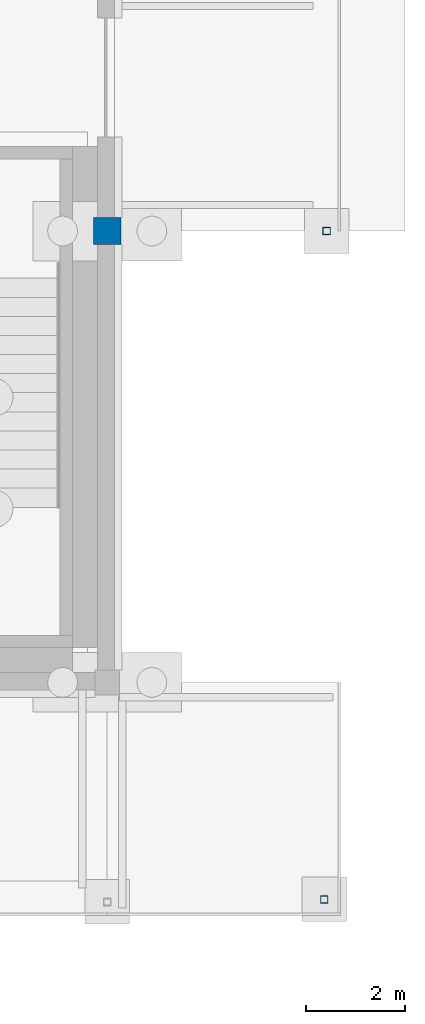
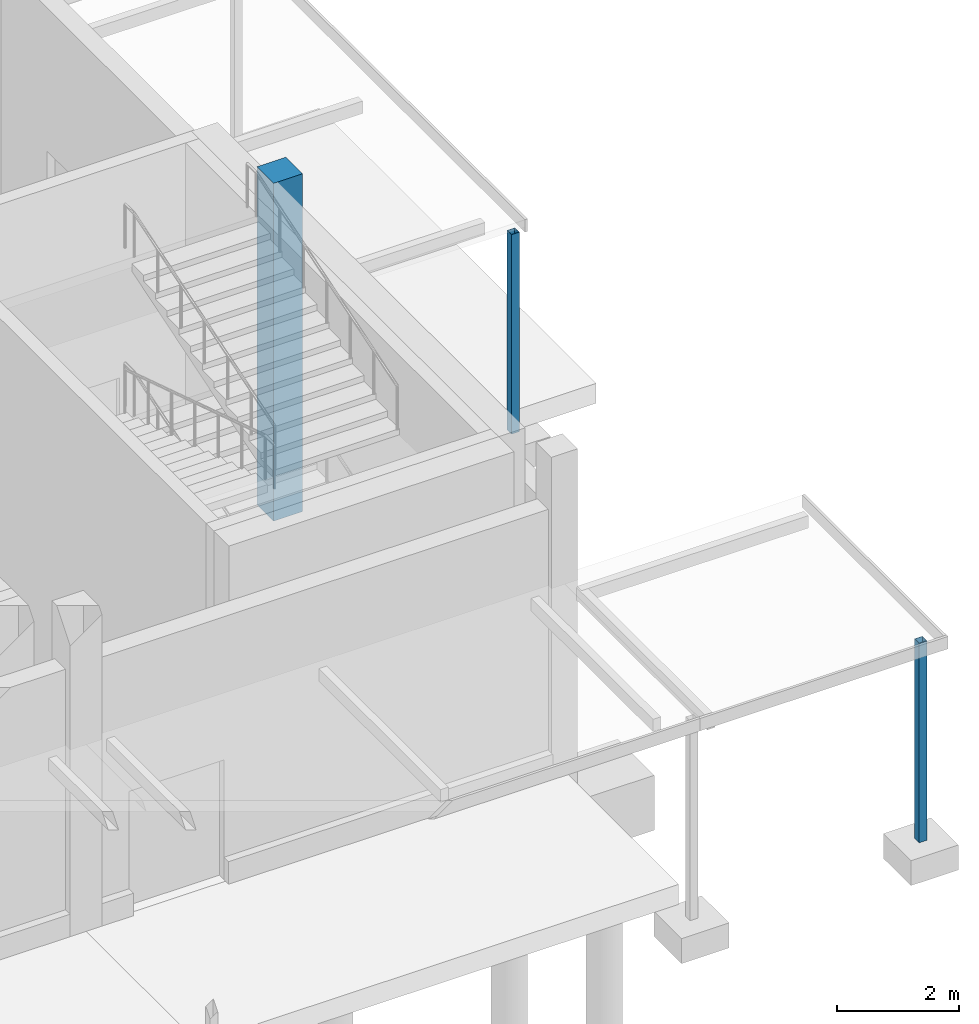
# One storey, part 36 of 129: 3 columns.
"""IFC4 building model written with IfcOpenShell, lengths in metres."""

import ifcopenshell
import ifcopenshell.guid

model = None  # the IFC model being written
_history = None  # IfcOwnerHistory: only IFC2X3 demands one
_inside = {}  # id of a spatial element -> (the spatial element, [elements in it])
_under = {}  # id of a project, library or spatial element -> (it, [spatial elements below it])
_declared = {}  # id of a project -> (the project, [libraries it declares])
_typed = {}  # id of a type object -> (the type object, [elements of that type])
_made_of = {}  # id of a material, layer set ... -> (it, [elements and type objects made of it])


def new_model(schema):
    """Start an empty IFC model of exactly this schema.

    Asked for "IFC4X3", IfcOpenShell would pick the latest addendum, in which some entities
    have other attributes; the version numbers below select the first issue.
    IFC2X3 requires an IfcOwnerHistory on every rooted entity: one is made here for all.
    """
    global model, _history
    if schema == "IFC4X3":
        model = ifcopenshell.file(schema_version=(4, 3, 0, 0))
    else:
        model = ifcopenshell.file(schema=schema)
    _inside.clear()
    _under.clear()
    _declared.clear()
    _typed.clear()
    _made_of.clear()
    _history = None
    if model.schema == "IFC2X3":
        org = make("IfcOrganization", Name="unknown")
        user = make(
            "IfcPersonAndOrganization",
            ThePerson=make("IfcPerson", FamilyName="unknown"),
            TheOrganization=org,
        )
        app = make(
            "IfcApplication",
            ApplicationDeveloper=org,
            Version="unknown",
            ApplicationFullName="unknown",
            ApplicationIdentifier="unknown",
        )
        _history = make(
            "IfcOwnerHistory",
            OwningUser=user,
            OwningApplication=app,
            ChangeAction="ADDED",
            CreationDate=0,
        )
    return model


def make(cls, **values):
    """One entity of the class cls with the attributes given. An attribute that is None is left unset."""
    return model.create_entity(
        cls, **{name: value for name, value in values.items() if value is not None}
    )


def rooted(cls, **values):
    """An entity with a GlobalId (a new one), such as an element, a storey or a relation."""
    return make(cls, GlobalId=ifcopenshell.guid.new(), OwnerHistory=_history, **values)


def si_unit(unit_type, name, prefix=None):
    """IfcSIUnit, for example si_unit("LENGTHUNIT", "METRE", prefix="MILLI")."""
    return make("IfcSIUnit", UnitType=unit_type, Prefix=prefix, Name=name)


def assignment(units):
    """IfcUnitAssignment: the units of a project."""
    return None if units is None else make("IfcUnitAssignment", Units=units)


def point(xyz):
    """IfcCartesianPoint."""
    return None if xyz is None else make("IfcCartesianPoint", Coordinates=xyz)


def direction(xyz):
    """IfcDirection."""
    return None if xyz is None else make("IfcDirection", DirectionRatios=xyz)


def frame(location, z_axis=None, x_axis=None):
    """IfcAxis2Placement3D, a coordinate frame: its origin and axes. An axis left out is left unset."""
    return make(
        "IfcAxis2Placement3D",
        Location=point(location),
        Axis=direction(z_axis),
        RefDirection=direction(x_axis),
    )


def frame_2d(location, x_axis=None):
    """IfcAxis2Placement2D, a coordinate frame in the plane: its origin and x axis."""
    return make(
        "IfcAxis2Placement2D", Location=point(location), RefDirection=direction(x_axis)
    )


def origin():
    """The frame at (0, 0, 0) with its axes left unset."""
    return frame((0.0, 0.0, 0.0))


def origin_2d():
    """The frame at (0, 0) in the plane with its x axis left unset."""
    return frame_2d((0.0, 0.0))


def place(relative_to, where):
    """IfcLocalPlacement: puts the frame where relative to a parent placement (None: the world)."""
    return make(
        "IfcLocalPlacement", PlacementRelTo=relative_to, RelativePlacement=where
    )


def context(
    kind, dimensions, precision=None, world=None, true_north=None, identifier=None
):
    """IfcGeometricRepresentationContext, for example the 3D "Model" context."""
    return make(
        "IfcGeometricRepresentationContext",
        ContextIdentifier=identifier,
        ContextType=kind,
        CoordinateSpaceDimension=dimensions,
        Precision=precision,
        WorldCoordinateSystem=world,
        TrueNorth=true_north,
    )


def subcontext(parent, identifier, kind, view, scale=None):
    """IfcGeometricRepresentationSubContext, for example "Body" below "Model"."""
    return make(
        "IfcGeometricRepresentationSubContext",
        ContextIdentifier=identifier,
        ContextType=kind,
        ParentContext=parent,
        TargetScale=scale,
        TargetView=view,
    )


def project(units=None, contexts=None):
    """IfcProject with its units and contexts."""
    return rooted(
        "IfcProject",
        Name="project",
        RepresentationContexts=contexts,
        UnitsInContext=assignment(units),
    )


def spatial(cls, under=None, at=None, **own):
    """A site, building, storey or space (cls), placed at a placement, below another one or the project."""
    s = rooted(cls, ObjectPlacement=at, **own)
    if under is not None:
        _under.setdefault(under.id(), (under, []))[1].append(s)
    return s


def profile(cls, at=None, kind="AREA", **sizes):
    """A parametric profile (cls). Its sizes go by their IFC names, for example OverallWidth=200.0."""
    return make(cls, ProfileType=kind, Position=at, **sizes)


def rectangle(**sizes):
    """IfcRectangleProfileDef."""
    return profile("IfcRectangleProfileDef", **sizes)


def hollow_rectangle(**sizes):
    """IfcRectangleHollowProfileDef."""
    return profile("IfcRectangleHollowProfileDef", **sizes)


def extrude(swept, where, along, depth):
    """IfcExtrudedAreaSolid: the profile swept, set in the frame where, extruded along a direction by depth."""
    return make(
        "IfcExtrudedAreaSolid",
        SweptArea=swept,
        Position=where,
        ExtrudedDirection=direction(along),
        Depth=depth,
    )


def shape(context_of_items, identifier, shape_type, items):
    """IfcShapeRepresentation: the items that make up one representation, for example the "Body"."""
    return make(
        "IfcShapeRepresentation",
        ContextOfItems=context_of_items,
        RepresentationIdentifier=identifier,
        RepresentationType=shape_type,
        Items=items,
    )


def material(Name=None, Category=None):
    """IfcMaterial."""
    return make("IfcMaterial", Name=Name, Category=Category)


def material_profile(
    of_material, cross_section, Name=None, Category=None, Priority=None
):
    """IfcMaterialProfile: a cross section and its material."""
    return make(
        "IfcMaterialProfile",
        Name=Name,
        Material=of_material,
        Profile=cross_section,
        Priority=Priority,
        Category=Category,
    )


def profile_set(profiles, Name=None, composite=None):
    """IfcMaterialProfileSet."""
    return make(
        "IfcMaterialProfileSet",
        Name=Name,
        MaterialProfiles=profiles,
        CompositeProfile=composite,
    )


def made_of(thing, what):
    """Note that an element or type object is made of a material, layer set ...; save() writes the relation."""
    if what is not None:
        _made_of.setdefault(what.id(), (what, []))[1].append(thing)
    return thing


def type_object(cls, material=None, **own):
    """A type object (cls), such as IfcWallType, which elements share."""
    return made_of(rooted(cls, **own), material)


def element(
    cls,
    number,
    at=None,
    inside=None,
    cuts=None,
    type_object=None,
    material=None,
    context=None,
    identifier="Body",
    shape_type=None,
    held_by="IfcProductDefinitionShape",
    body=None,
    shapes=None,
    **own,
):
    """One element of the class cls, such as IfcWall. Its Tag is "e" and its number.

    at: its placement. inside: the storey or other place that contains it. cuts: it is an
    opening in that element (IfcRelVoidsElement). A single representation is given by context,
    identifier, shape_type and body (its items); several are given by shapes. held_by: the class
    of the entity that holds the representations. save() writes the other relations.
    """
    e = rooted(cls, Tag="e%d" % number, ObjectPlacement=at, **own)
    if body is not None:
        shapes = [shape(context, identifier, shape_type, body)]
    if shapes is not None:
        e.Representation = make(held_by, Representations=shapes)
    if inside is not None:
        _inside.setdefault(inside.id(), (inside, []))[1].append(e)
    if cuts is not None:
        rooted(
            "IfcRelVoidsElement", RelatingBuildingElement=cuts, RelatedOpeningElement=e
        )
    if type_object is not None:
        _typed.setdefault(type_object.id(), (type_object, []))[1].append(e)
    return made_of(e, material)


def aggregate(whole, parts):
    """IfcRelAggregates: a whole, such as a stair, and the parts it consists of."""
    return rooted("IfcRelAggregates", RelatingObject=whole, RelatedObjects=parts)


def save(model, path):
    """Write the relations noted so far, then the file.

    IfcRelAggregates (storeys below a building ...), IfcRelContainedInSpatialStructure (elements
    in a storey), IfcRelDefinesByType, IfcRelAssociatesMaterial and IfcRelDeclares: one each for
    every whole, place, type object, material and project.
    """
    for whole, parts in _under.values():
        aggregate(whole, parts)
    for where, things in _inside.values():
        rooted(
            "IfcRelContainedInSpatialStructure",
            RelatedElements=things,
            RelatingStructure=where,
        )
    for kind, things in _typed.values():
        rooted("IfcRelDefinesByType", RelatedObjects=things, RelatingType=kind)
    for what, things in _made_of.values():
        rooted("IfcRelAssociatesMaterial", RelatedObjects=things, RelatingMaterial=what)
    for by, libraries in _declared.values():
        rooted("IfcRelDeclares", RelatingContext=by, RelatedDefinitions=libraries)
    model.write(path)


model = new_model("IFC4")

# Units and contexts
model_context = context("Model", 3, precision=1e-05, world=origin(), true_north=direction((0.0, 1.0)))
body_context = subcontext(model_context, "Body", "Model", "MODEL_VIEW")
ifc_project = project(units=[si_unit("LENGTHUNIT", "METRE"), si_unit("AREAUNIT", "SQUARE_METRE"), si_unit("VOLUMEUNIT", "CUBIC_METRE"), si_unit("PLANEANGLEUNIT", "RADIAN"), si_unit("MASSUNIT", "GRAM", prefix="KILO")], contexts=[model_context])

# Site, building, storey
site_placement = place(None, origin())
site = spatial("IfcSite", under=ifc_project, at=site_placement, CompositionType="ELEMENT")
building_placement = place(site_placement, origin())
building = spatial("IfcBuilding", under=site, at=building_placement, Name="Shirokan Park Arena", CompositionType="ELEMENT")
storey_placement = place(building_placement, origin())
storey = spatial("IfcBuildingStorey", under=building, at=storey_placement, Name="L00", CompositionType="ELEMENT", Elevation=0.0)

# Columns
ifc_material_1 = material(Name="Concrete C35", Category="concrete")
ifc_material_profile_1 = material_profile(ifc_material_1, rectangle(XDim=0.550048828125, YDim=0.550048828125, at=origin_2d()), Name="550x550")
ifc_profile_set_1 = profile_set([ifc_material_profile_1], Name="Concrete C35")
column_type_1 = type_object("IfcColumnType", Name="RC column 550x550", PredefinedType="COLUMN", material=ifc_profile_set_1)
column_placement = place(storey_placement, frame((145.60009765625, 9.10009765625, -0.39990234375), z_axis=(0.0, 0.0, 1.0), x_axis=(1.0, 0.0, 0.0)))
element("IfcColumn", 1, at=column_placement, inside=storey, type_object=column_type_1, Name="Column 17B L00", PredefinedType="COLUMN", context=body_context, shape_type="SweptSolid", body=[
    extrude(rectangle(XDim=0.550048828125, YDim=0.550048828125, at=origin_2d()), origin(), (0.0, 0.0, 1.0), 6.77001953125),
])
ifc_material_2 = material(Name="Steel S355", Category="steel")
ifc_material_profile_2 = material_profile(ifc_material_2, hollow_rectangle(XDim=0.14990234375, YDim=0.14990234375, WallThickness=0.008056640625, at=origin_2d()), Name="RHS 150x150x8")
ifc_profile_set_2 = profile_set([ifc_material_profile_2], Name="Steel S355")
column_type_2 = type_object("IfcColumnType", Name="Steel post RHS 150x150x8", PredefinedType="COLUMN", material=ifc_profile_set_2)
for number, where, z_axis, x_axis, name in (
    (2, (150.02490234375, 9.10009765625, -0.39990234375), (0.0, 0.0, 1.0), (1.0, 0.0, 0.0), "Canopy post east grid 2"),
    (3, (149.97509765625, -4.375, -0.39990234375), (0.0, 0.0, 1.0), (1.0, 0.0, 0.0), "Canopy post SE corner"),
):
    element("IfcColumn", number, at=place(storey_placement, frame(where, z_axis=z_axis, x_axis=x_axis)), inside=storey, type_object=column_type_2, Name=name, PredefinedType="COLUMN", context=body_context, shape_type="SweptSolid", body=[
        extrude(hollow_rectangle(XDim=0.14990234375, YDim=0.14990234375, WallThickness=0.008056640625, at=origin_2d()), origin(), (0.0, 0.0, 1.0), 4.0),
    ])

save(model, "model.ifc")
